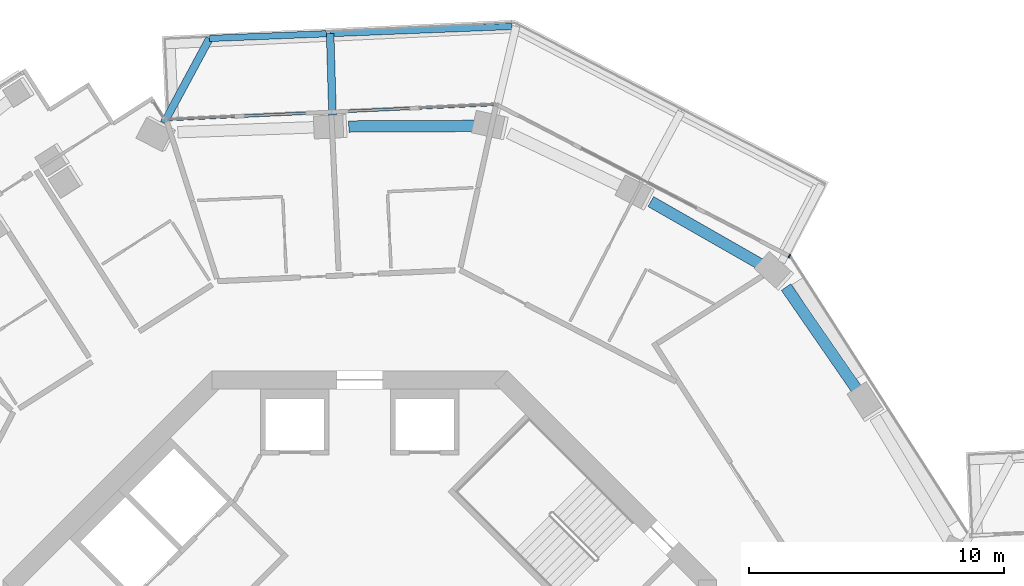
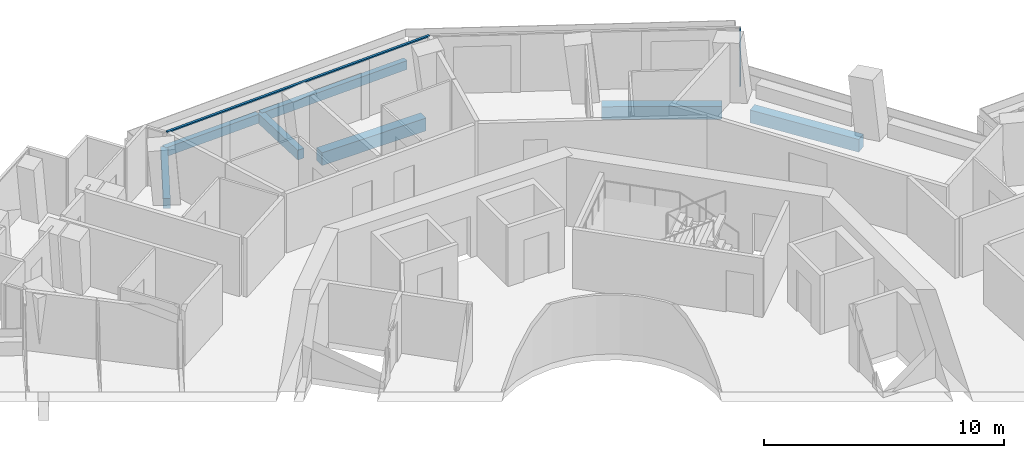
# One storey, part 8 of 22: 7 beams, 2 members, 2 elements without a shape of their own.
"""IFC4 building model written with IfcOpenShell, lengths in metres."""

from ifc_helpers import new_model, si_unit, direction, frame, origin, origin_2d, place, context, subcontext, project, spatial, rectangle, extrude, material, layer, layer_set, material_profile, profile_set, type_object, element, aggregate, save


model = new_model("IFC4")

# Units and contexts
model_context = context("Model", 3, precision=1e-05, world=origin(), true_north=direction((0.0, 1.0)))
body_context = subcontext(model_context, "Body", "Model", "MODEL_VIEW")
ifc_project = project(units=[si_unit("LENGTHUNIT", "METRE"), si_unit("AREAUNIT", "SQUARE_METRE"), si_unit("VOLUMEUNIT", "CUBIC_METRE"), si_unit("PLANEANGLEUNIT", "RADIAN"), si_unit("MASSUNIT", "GRAM", prefix="KILO")], contexts=[model_context])

# Site, building, storey
site_placement = place(None, origin())
site = spatial("IfcSite", under=ifc_project, at=site_placement, CompositionType="ELEMENT")
building_placement = place(site_placement, origin())
building = spatial("IfcBuilding", under=site, at=building_placement, Name="Verdalira Terraces Hotel", CompositionType="ELEMENT")
storey_placement = place(building_placement, frame((0.0, 0.0, 165.5)))
storey = spatial("IfcBuildingStorey", under=building, at=storey_placement, Name="L40", CompositionType="ELEMENT", Elevation=165.5)

# Beams
ifc_material_1 = material(Name="Concrete C40", Category="concrete")
ifc_material_profile_1 = material_profile(ifc_material_1, rectangle(XDim=0.300049, YDim=0.5, at=origin_2d()), Name="RC 300X500")
ifc_profile_set_1 = profile_set([ifc_material_profile_1], Name="Concrete C40")
beam_type_1 = type_object("IfcBeamType", Name="Balcony cantilever beam RC 300X500 C40", PredefinedType="BEAM", material=ifc_profile_set_1)
beam_1_placement = place(storey_placement, frame((-1.065674, 24.034424, -0.560059), z_axis=(-0.029289222, 0.999570979, 0.0), x_axis=(-0.999570979, -0.029289222, 0.0)))
element("IfcBeam", 1, at=beam_1_placement, inside=storey, type_object=beam_type_1, Name="Balcony cantilever beam R40-4", PredefinedType="BEAM", context=body_context, shape_type="SweptSolid", body=[
    extrude(rectangle(XDim=0.300049, YDim=0.5, at=origin_2d()), origin(), (0.0, 0.0, 1.0), 3.200928),
])
beam_2_placement = place(storey_placement, frame((-7.680664, 23.725586, -0.560059), z_axis=(0.474385585, 0.880317168, 0.0), x_axis=(-0.880317168, 0.474385585, 0.0)))
element("IfcBeam", 2, at=beam_2_placement, inside=storey, type_object=beam_type_1, Name="Balcony cantilever beam R40-5", PredefinedType="BEAM", context=body_context, shape_type="SweptSolid", body=[
    extrude(rectangle(XDim=0.300049, YDim=0.5, at=origin_2d()), origin(), (0.0, 0.0, 1.0), 3.769775),
])
ifc_material_2 = material(Name="Concrete C40", Category="concrete")
ifc_material_profile_2 = material_profile(ifc_material_2, rectangle(XDim=0.25, YDim=0.449951, at=origin_2d()), Name="RC 250X450")
ifc_profile_set_2 = profile_set([ifc_material_profile_2], Name="Concrete C40")
beam_type_2 = type_object("IfcBeamType", Name="Balcony edge beam RC 250X450 C40", PredefinedType="BEAM", material=ifc_profile_set_2)
beam_3_placement = place(storey_placement, frame((5.980957, 27.516602, -0.534912), z_axis=(-0.999217086, -0.039562806, 0.0), x_axis=(0.039562806, -0.999217086, 0.0)))
element("IfcBeam", 3, at=beam_3_placement, inside=storey, type_object=beam_type_2, Name="Balcony edge beam R40-3", PredefinedType="BEAM", context=body_context, shape_type="SweptSolid", body=[
    extrude(rectangle(XDim=0.25, YDim=0.449951, at=origin_2d()), origin(), (0.0, 0.0, 1.0), 7.145996),
])
beam_4_placement = place(storey_placement, frame((-1.309326, 27.227783, -0.534912), z_axis=(-0.999198576, -0.040027559, 0.0), x_axis=(0.040027559, -0.999198576, 0.0)))
element("IfcBeam", 4, at=beam_4_placement, inside=storey, type_object=beam_type_2, Name="Balcony edge beam R40-4", PredefinedType="BEAM", context=body_context, shape_type="SweptSolid", body=[
    extrude(rectangle(XDim=0.25, YDim=0.449951, at=origin_2d()), origin(), (0.0, 0.0, 1.0), 4.58667),
])

# Curtain wall, member
ifc_material_3 = material(Name="Clear glass", Category="glass")
ifc_layer = layer(ifc_material_3, 0.14990234375)
ifc_layer_set = layer_set([ifc_layer], Name="CW1 curtain wall")
curtain_wall_type = type_object("IfcCurtainWallType", Name="CW1 curtain wall", PredefinedType="NOTDEFINED", material=ifc_layer_set)
curtain_wall_1_placement = place(storey_placement, origin())
curtain_wall_1 = element("IfcCurtainWall", 5, at=curtain_wall_1_placement, inside=storey, type_object=curtain_wall_type, Name="CW1 curtain wall L40 edge 40", PredefinedType="NOTDEFINED")
ifc_material_4 = material(Name="Terracotta frame", Category="masonry")
ifc_material_profile_3 = material_profile(ifc_material_4, rectangle(XDim=0.060059, YDim=0.149902, at=origin_2d()), Name="MU 60x150")
ifc_profile_set_3 = profile_set([ifc_material_profile_3], Name="Terracotta frame")
member_type_1 = type_object("IfcMemberType", Name="CW1 mullion 60x150", PredefinedType="MULLION", material=ifc_profile_set_3)
member_1_placement = place(storey_placement, frame((16.860352, 18.504639, 0.0), z_axis=(0.0, 0.0, 1.0), x_axis=(-0.888136449, 0.459579861, 0.0)))
member_1 = element("IfcMember", 6, at=member_1_placement, type_object=member_type_1, Name="CW1 mullion", PredefinedType="MULLION", context=body_context, shape_type="SweptSolid", body=[
    extrude(rectangle(XDim=0.060059, YDim=0.149902, at=origin_2d()), origin(), (0.0, 0.0, 1.0), 2.935059),
])
aggregate(curtain_wall_1, [member_1])

curtain_wall_2_placement = place(storey_placement, origin())
curtain_wall_2 = element("IfcCurtainWall", 7, at=curtain_wall_2_placement, inside=storey, type_object=curtain_wall_type, Name="CW1 curtain wall L40 edge 41", PredefinedType="NOTDEFINED")
ifc_material_5 = material(Name="Terracotta frame", Category="masonry")
ifc_material_profile_4 = material_profile(ifc_material_5, rectangle(XDim=0.110107, YDim=0.064941, at=origin_2d()), Name="TR 65x110")
ifc_profile_set_4 = profile_set([ifc_material_profile_4], Name="Terracotta frame")
member_type_2 = type_object("IfcMemberType", Name="CW1 transom 65x110", PredefinedType="USERDEFINED", material=ifc_profile_set_4)
member_2_placement = place(storey_placement, frame((5.339111, 24.455322, 2.967529), z_axis=(-0.998937824, -0.046078449, 0.0), x_axis=(0.046078449, -0.998937824, 0.0)))
member_2 = element("IfcMember", 8, at=member_2_placement, type_object=member_type_2, Name="CW1 transom", ObjectType="TRANSOM", PredefinedType="USERDEFINED", context=body_context, shape_type="SweptSolid", body=[
    extrude(rectangle(XDim=0.110107, YDim=0.064941, at=origin_2d()), origin(), (0.0, 0.0, 1.0), 12.959717),
])
aggregate(curtain_wall_2, [member_2])

# Beams
ifc_material_6 = material(Name="Concrete C50", Category="concrete")
ifc_material_profile_5 = material_profile(ifc_material_6, rectangle(XDim=0.449951, YDim=0.649902, at=origin_2d()), Name="RC 450X650")
ifc_profile_set_5 = profile_set([ifc_material_profile_5], Name="Concrete C50")
beam_type_3 = type_object("IfcBeamType", Name="Spandrel beam RC 450X650 C50", PredefinedType="SPANDREL", material=ifc_profile_set_5)
beam_5_placement = place(storey_placement, frame((19.578369, 13.164307, -0.63501), z_axis=(-0.568738762, 0.822518219, 0.0), x_axis=(-0.822518219, -0.568738762, 0.0)))
element("IfcBeam", 9, at=beam_5_placement, inside=storey, type_object=beam_type_3, Name="Spandrel beam B19", PredefinedType="SPANDREL", context=body_context, shape_type="SweptSolid", body=[
    extrude(rectangle(XDim=0.449951, YDim=0.649902, at=origin_2d()), origin(), (0.0, 0.0, 1.0), 5.012207),
])
beam_6_placement = place(storey_placement, frame((15.777588, 18.15625, -0.63501), z_axis=(-0.868395872, 0.495871566, 0.0), x_axis=(-0.495871566, -0.868395872, 0.0)))
element("IfcBeam", 10, at=beam_6_placement, inside=storey, type_object=beam_type_3, Name="Spandrel beam B20", PredefinedType="SPANDREL", context=body_context, shape_type="SweptSolid", body=[
    extrude(rectangle(XDim=0.449951, YDim=0.649902, at=origin_2d()), origin(), (0.0, 0.0, 1.0), 5.015625),
])
beam_7_placement = place(storey_placement, frame((4.585693, 23.612549, -0.63501), z_axis=(-0.999988621, -0.004770427, 0.0), x_axis=(0.004770427, -0.999988621, 0.0)))
element("IfcBeam", 11, at=beam_7_placement, inside=storey, type_object=beam_type_3, Name="Spandrel beam B22", PredefinedType="SPANDREL", context=body_context, shape_type="SweptSolid", body=[
    extrude(rectangle(XDim=0.449951, YDim=0.649902, at=origin_2d()), origin(), (0.0, 0.0, 1.0), 5.015381),
])

save(model, "model.ifc")
